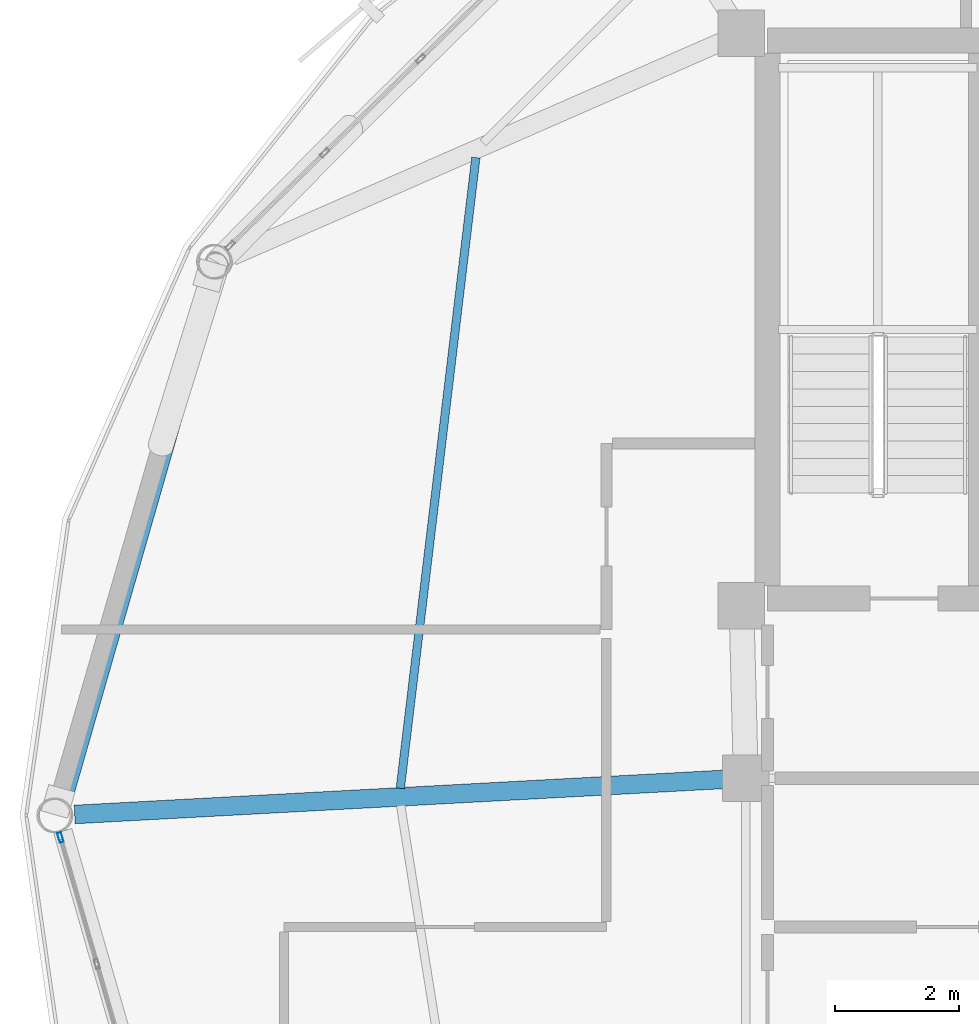
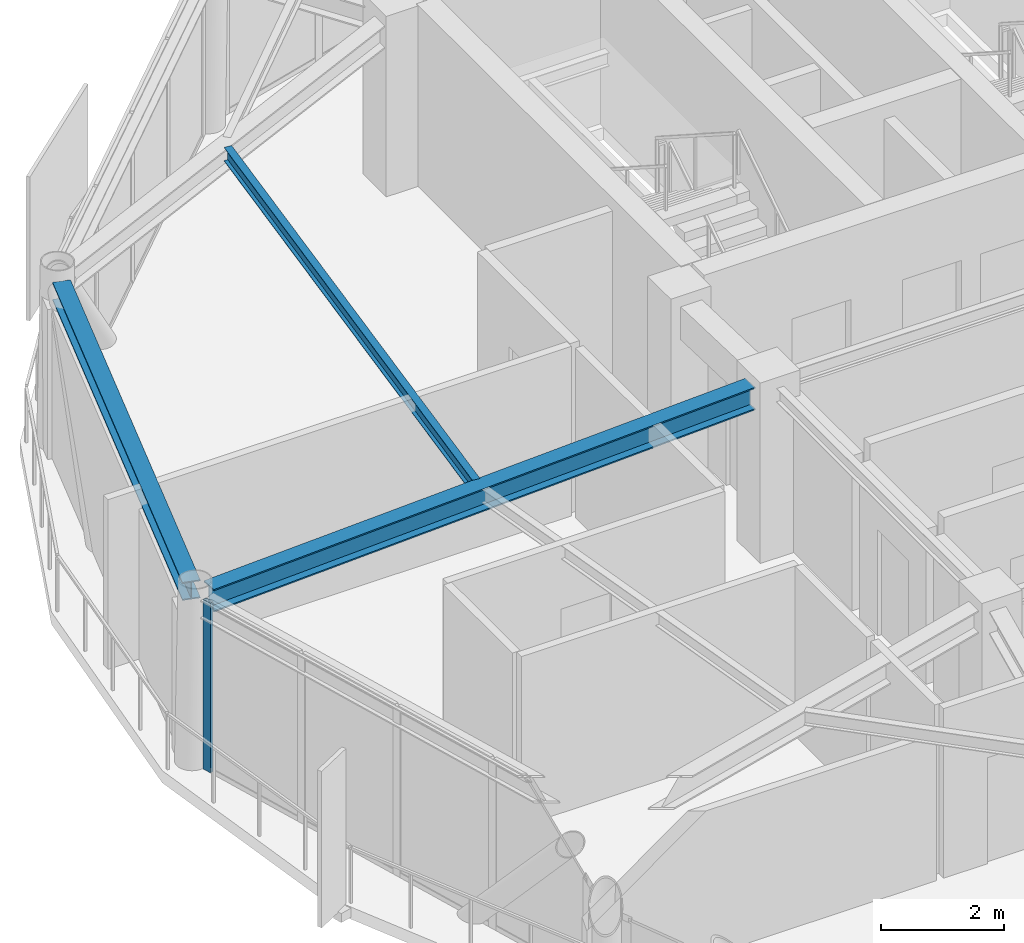
# One storey, part 11 of 26: 3 beams, 1 member, 1 element without a shape of its own.
"""IFC4 building model written with IfcOpenShell, lengths in metres."""

from ifc_helpers import new_model, si_unit, direction, frame, origin, origin_2d, place, context, subcontext, project, spatial, hollow_rectangle, i_section, extrude, material, layer, layer_set, material_profile, profile_set, type_object, element, aggregate, save


model = new_model("IFC4")

# Units and contexts
model_context = context("Model", 3, precision=1e-05, world=origin(), true_north=direction((0.0, 1.0)))
body_context = subcontext(model_context, "Body", "Model", "MODEL_VIEW")
ifc_project = project(units=[si_unit("LENGTHUNIT", "METRE"), si_unit("AREAUNIT", "SQUARE_METRE"), si_unit("VOLUMEUNIT", "CUBIC_METRE"), si_unit("PLANEANGLEUNIT", "RADIAN"), si_unit("MASSUNIT", "GRAM", prefix="KILO")], contexts=[model_context])

# Site, building, storey
site_placement = place(None, origin())
site = spatial("IfcSite", under=ifc_project, at=site_placement, CompositionType="ELEMENT")
building_placement = place(site_placement, origin())
building = spatial("IfcBuilding", under=site, at=building_placement, Name="Varnakorn Sky Granary", CompositionType="ELEMENT")
storey_placement = place(building_placement, frame((0.0, 0.0, 256.199951171875)))
storey = spatial("IfcBuildingStorey", under=building, at=storey_placement, Name="L65", CompositionType="ELEMENT", Elevation=256.199951171875)

# Beams
ifc_material_1 = material(Name="Steel S355JR", Category="steel")
ifc_material_profile_1 = material_profile(ifc_material_1, i_section(OverallWidth=0.300048828125, OverallDepth=0.449951171875, WebThickness=0.013916015625, FlangeThickness=0.02587890625, at=origin_2d()), Name="HE 450 B")
ifc_profile_set_1 = profile_set([ifc_material_profile_1], Name="Steel S355JR")
beam_type_1 = type_object("IfcBeamType", Name="BM-RAD-Z5", PredefinedType="BEAM", material=ifc_profile_set_1)
beam_1_placement = place(storey_placement, frame((-2.70458984375, 0.580810546875, 3.135009765625), z_axis=(-0.998540848873, -0.054001603053, 0.0), x_axis=(0.054001603053, -0.998540848873, 0.0)))
element("IfcBeam", 1, at=beam_1_placement, inside=storey, type_object=beam_type_1, Name="Radial Floor Girder RG07 L65", PredefinedType="BEAM", context=body_context, shape_type="SweptSolid", body=[
    extrude(i_section(OverallWidth=0.300048828125, OverallDepth=0.449951171875, WebThickness=0.013916015625, FlangeThickness=0.02587890625, at=origin_2d()), origin(), (0.0, 0.0, 1.0), 10.48876953125),
])
ifc_material_profile_2 = material_profile(ifc_material_1, i_section(OverallWidth=0.135009765625, OverallDepth=0.27001953125, WebThickness=0.006591796875, FlangeThickness=0.01025390625, at=origin_2d()), Name="IPE 270")
ifc_profile_set_2 = profile_set([ifc_material_profile_2], Name="Steel S355JR")
beam_type_2 = type_object("IfcBeamType", Name="BM-SEC-Z5", PredefinedType="BEAM", material=ifc_profile_set_2)
beam_2_placement = place(storey_placement, frame((-6.705322265625, 10.61181640625, 3.22509765625), z_axis=(-0.1189723701, -0.992897565287, 0.0), x_axis=(0.992897565287, -0.1189723701, 0.0)))
element("IfcBeam", 2, at=beam_2_placement, inside=storey, type_object=beam_type_2, Name="Secondary Floor Chord Beam MSB06 L65", PredefinedType="BEAM", context=body_context, shape_type="SweptSolid", body=[
    extrude(i_section(OverallWidth=0.135009765625, OverallDepth=0.27001953125, WebThickness=0.006591796875, FlangeThickness=0.01025390625, at=origin_2d()), origin(), (0.0, 0.0, 1.0), 10.248046875),
])
ifc_material_profile_3 = material_profile(ifc_material_1, i_section(OverallWidth=0.300048828125, OverallDepth=0.360107421875, WebThickness=0.012451171875, FlangeThickness=0.0224609375, at=origin_2d()), Name="HE 360 B")
ifc_profile_set_3 = profile_set([ifc_material_profile_3], Name="Steel S355JR")
beam_type_3 = type_object("IfcBeamType", Name="BM-SPD-Z5", PredefinedType="SPANDREL", material=ifc_profile_set_3)
beam_3_placement = place(storey_placement, frame((-10.947509765625, 8.663818359375, 3.179931640625), z_axis=(-0.276688121114, -0.960959772121, 0.0), x_axis=(0.960959772121, -0.276688121114, 0.0)))
element("IfcBeam", 3, at=beam_3_placement, inside=storey, type_object=beam_type_3, Name="Perimeter Spandrel Ring Beam RB06 L65", PredefinedType="SPANDREL", context=body_context, shape_type="SweptSolid", body=[
    extrude(i_section(OverallWidth=0.300048828125, OverallDepth=0.360107421875, WebThickness=0.012451171875, FlangeThickness=0.0224609375, at=origin_2d()), origin(), (0.0, 0.0, 1.0), 8.751220703125),
])

# Curtain wall, member
ifc_material_2 = material(Name="Anodised Bronze Aluminium Alloy 6063-T6", Category="aluminium")
ifc_layer = layer(ifc_material_2, 0.159912109375, Name="Anodised Bronze Aluminium Alloy 6063-T6")
ifc_layer_set = layer_set([ifc_layer], Name="Anodised Bronze Aluminium Alloy 6063-T6")
curtain_wall_type = type_object("IfcCurtainWallType", Name="CW-OFF-1", PredefinedType="USERDEFINED", material=ifc_layer_set)
curtain_wall_placement = place(storey_placement, origin())
curtain_wall = element("IfcCurtainWall", 4, at=curtain_wall_placement, inside=storey, type_object=curtain_wall_type, Name="Unitised Curtain Wall CW6 CW-L65-B07", ObjectType="CURTAIN WALL", PredefinedType="USERDEFINED")
ifc_material_profile_4 = material_profile(ifc_material_2, hollow_rectangle(XDim=0.06494140625, YDim=0.159912109375, WallThickness=0.00341796875, at=origin_2d()), Name="ALU MULL 65x160")
ifc_profile_set_4 = profile_set([ifc_material_profile_4], Name="Anodised Bronze Aluminium Alloy 6063-T6")
member_type = type_object("IfcMemberType", Name="CW-OFF-1-MULL", PredefinedType="MULLION", material=ifc_profile_set_4)
member_placement = place(storey_placement, frame((-13.406982421875, -0.357421875, 0.0), z_axis=(0.0, 0.0, 1.0), x_axis=(-0.960845569821, -0.277084447334, 0.0)))
member = element("IfcMember", 5, at=member_placement, type_object=member_type, Name="CW6 mullion 5", PredefinedType="MULLION", context=body_context, shape_type="SweptSolid", body=[
    extrude(hollow_rectangle(XDim=0.06494140625, YDim=0.159912109375, WallThickness=0.00341796875, at=origin_2d()), origin(), (0.0, 0.0, 1.0), 3.360107421875),
])
aggregate(curtain_wall, [member])

save(model, "model.ifc")
